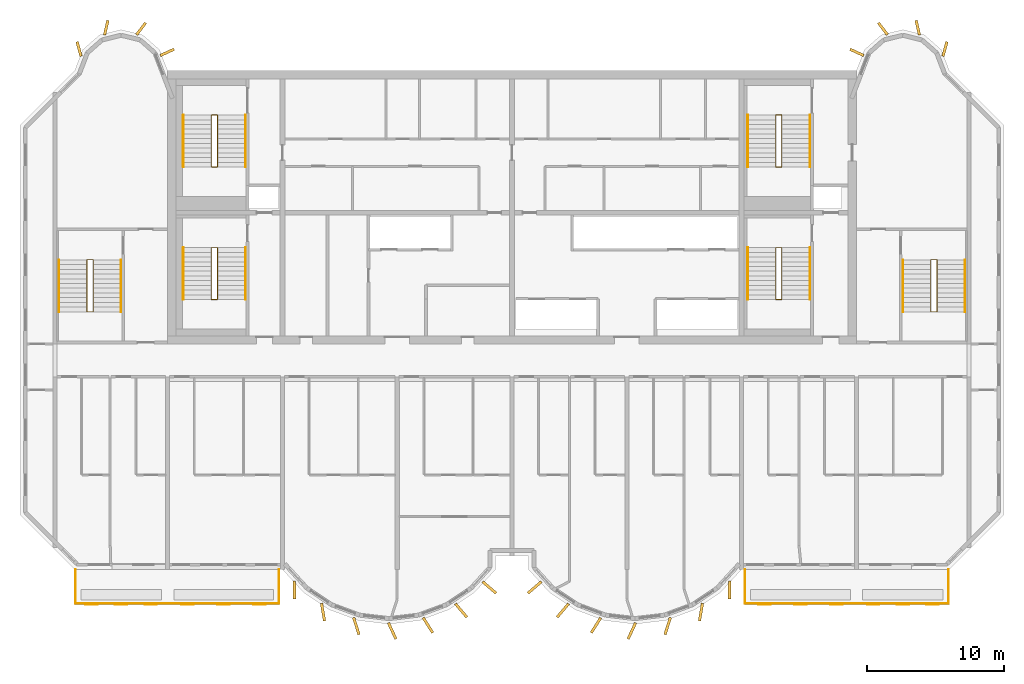
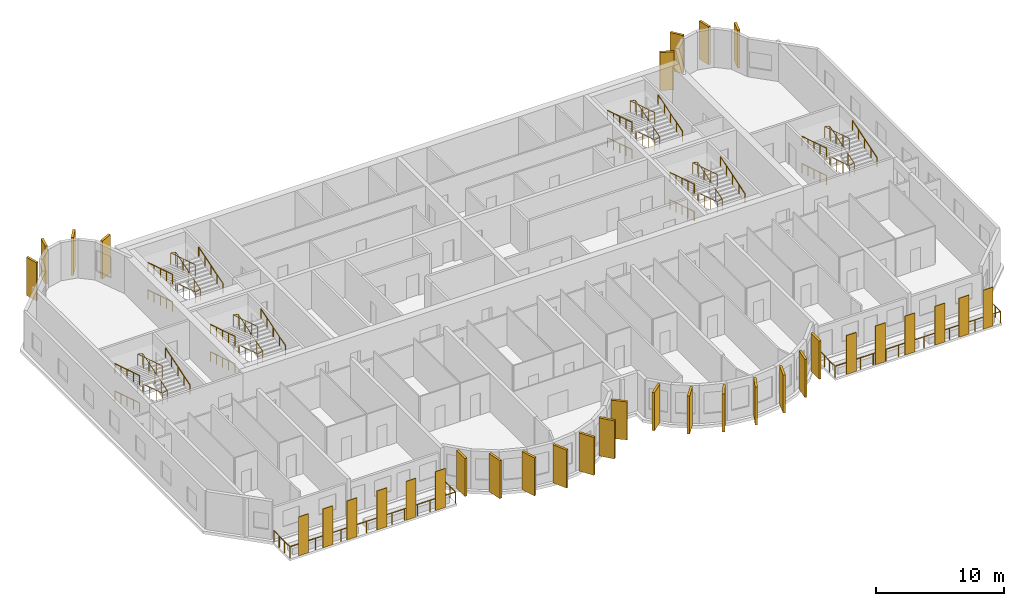
# One storey, part 10 of 11: 34 coverings, 26 railings.
"""IFC4 building model written with IfcOpenShell, lengths in metres."""

from ifc_helpers import new_model, si_unit, direction, frame, origin, origin_2d, place, context, subcontext, project, spatial, rectangle, circle, extrude, source, transform, mapped, material, layer, layer_set, material_profile, profile_set, type_object, element, save


model = new_model("IFC4")

# Units and contexts
model_context = context("Model", 3, precision=1e-05, world=origin(), true_north=direction((0.0, 1.0)))
body_context = subcontext(model_context, "Body", "Model", "MODEL_VIEW")
ifc_project = project(units=[si_unit("LENGTHUNIT", "METRE"), si_unit("AREAUNIT", "SQUARE_METRE"), si_unit("VOLUMEUNIT", "CUBIC_METRE"), si_unit("PLANEANGLEUNIT", "RADIAN"), si_unit("MASSUNIT", "GRAM", prefix="KILO")], contexts=[model_context])

# Site, building, storey
site_placement = place(None, origin())
site = spatial("IfcSite", under=ifc_project, at=site_placement, CompositionType="ELEMENT")
building_placement = place(site_placement, origin())
building = spatial("IfcBuilding", under=site, at=building_placement, Name="Vanashikhar Sky Hotel", CompositionType="ELEMENT")
storey_placement = place(building_placement, frame((0.0, 0.0, 217.89990234375)))
storey = spatial("IfcBuildingStorey", under=building, at=storey_placement, Name="L52", CompositionType="ELEMENT", Elevation=217.89990234375)

# Railings
ifc_material_1 = material(Name="Stainless steel 316", Category="steel")
railing_type_1 = type_object("IfcRailingType", Name="Balcony guard 1100", PredefinedType="GUARDRAIL", material=ifc_material_1)
shared_shape_1 = source(origin(), body_context, "Body", "SweptSolid", [
    extrude(circle(Radius=0.02392578125, at=origin_2d()), frame((0.0, 0.0, 1.076171875), z_axis=(0.0, -1.0, 0.0), x_axis=(1.0, 0.0, 0.0)), (0.0, 0.0, 1.0), 2.5),
    extrude(circle(Radius=0.02392578125, at=origin_2d()), frame((0.0, -2.5, 1.076171875), z_axis=(1.0, 0.0, 0.0), x_axis=(0.0, 1.0, 0.0)), (0.0, 0.0, 1.0), 14.880126953125),
    extrude(circle(Radius=0.02392578125, at=origin_2d()), frame((14.880126953125, -2.5, 1.076171875), z_axis=(0.0, 1.0, 0.0), x_axis=(-1.0, 0.0, 0.0)), (0.0, 0.0, 1.0), 2.5),
    extrude(circle(Radius=0.02099609375, at=origin_2d()), origin(), (0.0, 0.0, 1.0), 1.052001953125),
    extrude(circle(Radius=0.02099609375, at=origin_2d()), frame((0.0, -0.833251953125, 0.0)), (0.0, 0.0, 1.0), 1.052001953125),
    extrude(circle(Radius=0.02099609375, at=origin_2d()), frame((0.0, -1.666748046875, 0.0)), (0.0, 0.0, 1.0), 1.052001953125),
    extrude(circle(Radius=0.02099609375, at=origin_2d()), frame((0.0, -2.5, 0.0)), (0.0, 0.0, 1.0), 1.052001953125),
    extrude(circle(Radius=0.02099609375, at=origin_2d()), frame((1.14453125, -2.5, 0.0)), (0.0, 0.0, 1.0), 1.052001953125),
    extrude(circle(Radius=0.02099609375, at=origin_2d()), frame((2.289306640625, -2.5, 0.0)), (0.0, 0.0, 1.0), 1.052001953125),
    extrude(circle(Radius=0.02099609375, at=origin_2d()), frame((3.433837890625, -2.5, 0.0)), (0.0, 0.0, 1.0), 1.052001953125),
    extrude(circle(Radius=0.02099609375, at=origin_2d()), frame((4.57861328125, -2.5, 0.0)), (0.0, 0.0, 1.0), 1.052001953125),
    extrude(circle(Radius=0.02099609375, at=origin_2d()), frame((5.72314453125, -2.5, 0.0)), (0.0, 0.0, 1.0), 1.052001953125),
    extrude(circle(Radius=0.02099609375, at=origin_2d()), frame((6.86767578125, -2.5, 0.0)), (0.0, 0.0, 1.0), 1.052001953125),
    extrude(circle(Radius=0.02099609375, at=origin_2d()), frame((8.012451171875, -2.5, 0.0)), (0.0, 0.0, 1.0), 1.052001953125),
    extrude(circle(Radius=0.02099609375, at=origin_2d()), frame((9.156982421875, -2.5, 0.0)), (0.0, 0.0, 1.0), 1.052001953125),
    extrude(circle(Radius=0.02099609375, at=origin_2d()), frame((10.301513671875, -2.5, 0.0)), (0.0, 0.0, 1.0), 1.052001953125),
    extrude(circle(Radius=0.02099609375, at=origin_2d()), frame((11.4462890625, -2.5, 0.0)), (0.0, 0.0, 1.0), 1.052001953125),
    extrude(circle(Radius=0.02099609375, at=origin_2d()), frame((12.5908203125, -2.5, 0.0)), (0.0, 0.0, 1.0), 1.052001953125),
    extrude(circle(Radius=0.02099609375, at=origin_2d()), frame((13.735595703125, -2.5, 0.0)), (0.0, 0.0, 1.0), 1.052001953125),
    extrude(circle(Radius=0.02099609375, at=origin_2d()), frame((14.880126953125, -2.5, 0.0)), (0.0, 0.0, 1.0), 1.052001953125),
    extrude(circle(Radius=0.02099609375, at=origin_2d()), frame((14.880126953125, -1.666748046875, 0.0)), (0.0, 0.0, 1.0), 1.052001953125),
    extrude(circle(Radius=0.02099609375, at=origin_2d()), frame((14.880126953125, -0.833251953125, 0.0)), (0.0, 0.0, 1.0), 1.052001953125),
    extrude(circle(Radius=0.02099609375, at=origin_2d()), frame((14.880126953125, 0.0, 0.0)), (0.0, 0.0, 1.0), 1.052001953125),
])
for number, where, name in (
    (1, (18.4599609375, 5.5, -0.0498046875), "Balcony guard"),
    (2, (67.4599609375, 5.5, -0.0498046875), "Balcony guard"),
):
    element("IfcRailing", number, at=place(storey_placement, frame(where)), inside=storey, type_object=railing_type_1, Name=name, PredefinedType="GUARDRAIL", context=body_context, shape_type="MappedRepresentation", body=[
        mapped(shared_shape_1, transform((0.0, 0.0, 0.0), scale=1.0)),
    ])

# Coverings
ifc_material_2 = material(Name="Terracotta", Category="masonry")
ifc_layer = layer(ifc_material_2, 0.06005859375)
ifc_layer_set = layer_set([ifc_layer], Name="Terracotta baguette screen")
covering_type_1 = type_object("IfcCoveringType", Name="Terracotta baguette screen", PredefinedType="CLADDING", material=ifc_layer_set)
shared_shape_2 = source(origin(), body_context, "Body", "SweptSolid", [
    extrude(rectangle(XDim=0.89990234375, YDim=0.06005859375, at=origin_2d()), origin(), (0.0, 0.0, 1.0), 3.699951171875),
])
for number, where, z_axis, x_axis, name in (
    (3, (19.63330078125, 2.929931640625, -0.0498046875), (0.0, 0.0, 1.0), (1.0, 0.0, 0.0), "Terracotta screen"),
    (4, (21.800048828125, 2.929931640625, -0.0498046875), (0.0, 0.0, 1.0), (1.0, 0.0, 0.0), "Terracotta screen"),
    (5, (23.966796875, 2.929931640625, -0.0498046875), (0.0, 0.0, 1.0), (1.0, 0.0, 0.0), "Terracotta screen"),
    (6, (26.666748046875, 2.929931640625, -0.0498046875), (0.0, 0.0, 1.0), (1.0, 0.0, 0.0), "Terracotta screen"),
    (7, (29.300048828125, 2.929931640625, -0.0498046875), (0.0, 0.0, 1.0), (1.0, 0.0, 0.0), "Terracotta screen"),
    (8, (31.933349609375, 2.929931640625, -0.0498046875), (0.0, 0.0, 1.0), (1.0, 0.0, 0.0), "Terracotta screen"),
    (9, (68.86669921875, 2.929931640625, -0.0498046875), (0.0, 0.0, 1.0), (1.0, 0.0, 0.0), "Terracotta screen"),
    (10, (71.5, 2.929931640625, -0.0498046875), (0.0, 0.0, 1.0), (1.0, 0.0, 0.0), "Terracotta screen"),
    (11, (74.13330078125, 2.929931640625, -0.0498046875), (0.0, 0.0, 1.0), (1.0, 0.0, 0.0), "Terracotta screen"),
    (12, (76.833251953125, 2.929931640625, -0.0498046875), (0.0, 0.0, 1.0), (1.0, 0.0, 0.0), "Terracotta screen"),
    (13, (79.0, 2.929931640625, -0.0498046875), (0.0, 0.0, 1.0), (1.0, 0.0, 0.0), "Terracotta screen"),
    (14, (81.166748046875, 2.929931640625, -0.0498046875), (0.0, 0.0, 1.0), (1.0, 0.0, 0.0), "Terracotta screen"),
):
    element("IfcCovering", number, at=place(storey_placement, frame(where, z_axis=z_axis, x_axis=x_axis)), inside=storey, type_object=covering_type_1, Name=name, PredefinedType="CLADDING", context=body_context, shape_type="MappedRepresentation", body=[
        mapped(shared_shape_2, transform((0.0, 0.0, 0.0), scale=1.0)),
    ])
ifc_material_3 = material(Name="Concrete M60 dark", Category="concrete")
ifc_material_profile_1 = material_profile(ifc_material_3, rectangle(XDim=1.300048828125, YDim=0.199951171875, at=origin_2d()))
ifc_profile_set_1 = profile_set([ifc_material_profile_1], Name="Fin 1300 x 200")
covering_type_2 = type_object("IfcCoveringType", Name="Fin 1300 x 200", PredefinedType="CLADDING", material=ifc_profile_set_1)
shared_shape_3 = source(origin(), body_context, "Body", "SweptSolid", [
    extrude(rectangle(XDim=1.300048828125, YDim=0.199951171875, at=origin_2d()), origin(), (0.0, 0.0, 1.0), 3.6201171875),
])
for number, where, z_axis, x_axis, name in (
    (15, (34.482421875, 3.992919921875, 0.0), (0.0, 0.0, 1.0), (0.011588726826, -0.999932848451, 0.0), "Fin F1-1"),
    (16, (36.572509765625, 2.3779296875, 0.0), (0.0, 0.0, 1.0), (0.16989991575, -0.985461322746, 0.0), "Fin F1-2"),
    (17, (39.00830078125, 1.35693359375, 0.0), (0.0, 0.0, 1.0), (0.303966551867, -0.952682704444, 0.0), "Fin F1-3"),
    (18, (41.63232421875, 1.00146484375, 0.0), (0.0, 0.0, 1.0), (0.422618261741, -0.906307787037, 0.0), "Fin F1-4"),
    (19, (44.251953125, 1.416015625, 0.0), (0.0, 0.0, 1.0), (0.534411358496, -0.845224526331, 0.0), "Fin F1-5"),
    (20, (46.676025390625, 2.5, 0.0), (0.0, 0.0, 1.0), (0.645697609467, -0.763593214433, 0.0), "Fin F1-6"),
    (21, (48.7412109375, 4.1845703125, 0.0), (0.0, 0.0, 1.0), (0.758543912032, -0.65162192529, 0.0), "Fin F1-7"),
    (22, (52.058837890625, 4.1845703125, 0.0), (0.0, 0.0, 1.0), (-0.758543912032, -0.65162192529, 0.0), "Fin F2-1"),
    (23, (54.123779296875, 2.5, 0.0), (0.0, 0.0, 1.0), (-0.645697609467, -0.763593214433, 0.0), "Fin F2-2"),
    (24, (56.547119140625, 1.416015625, 0.0), (0.0, 0.0, 1.0), (-0.534411358496, -0.845224526331, 0.0), "Fin F2-3"),
    (25, (59.16748046875, 1.00146484375, 0.0), (0.0, 0.0, 1.0), (-0.422618261741, -0.906307787037, 0.0), "Fin F2-4"),
    (26, (61.790771484375, 1.35693359375, 0.0), (0.0, 0.0, 1.0), (-0.303966551867, -0.952682704444, 0.0), "Fin F2-5"),
    (27, (64.2275390625, 2.3779296875, 0.0), (0.0, 0.0, 1.0), (-0.16989991575, -0.985461322746, 0.0), "Fin F2-6"),
    (28, (66.317626953125, 3.992919921875, 0.0), (0.0, 0.0, 1.0), (-0.011588726826, -0.999932848451, 0.0), "Fin F2-7"),
):
    element("IfcCovering", number, at=place(storey_placement, frame(where, z_axis=z_axis, x_axis=x_axis)), inside=storey, type_object=covering_type_2, Name=name, PredefinedType="CLADDING", context=body_context, shape_type="MappedRepresentation", body=[
        mapped(shared_shape_3, transform((0.0, 0.0, 0.0), scale=1.0)),
    ])
ifc_material_profile_2 = material_profile(ifc_material_3, rectangle(XDim=1.10009765625, YDim=0.199951171875, at=origin_2d()))
ifc_profile_set_2 = profile_set([ifc_material_profile_2], Name="Rear lobe fin 1100 x 200")
covering_type_3 = type_object("IfcCoveringType", Name="Rear lobe fin 1100 x 200", PredefinedType="CLADDING", material=ifc_profile_set_2)
shared_shape_4 = source(origin(), body_context, "Body", "SweptSolid", [
    extrude(rectangle(XDim=1.10009765625, YDim=0.199951171875, at=origin_2d()), origin(), (0.0, 0.0, 1.0), 3.6201171875),
])
for number, where, z_axis, x_axis, name in (
    (29, (18.720703125, 43.580078125, 0.0), (0.0, 0.0, 1.0), (-0.262711264409, 0.964874495234, 0.0), "Fin R1-1"),
    (30, (20.710205078125, 45.1455078125, 0.0), (0.0, 0.0, 1.0), (0.224644935864, 0.974440687159, 0.0), "Fin R1-2"),
    (31, (23.261962890625, 45.06640625, 0.0), (0.0, 0.0, 1.0), (0.602065892195, 0.798446404874, 0.0), "Fin R1-3"),
    (32, (25.169677734375, 43.33447265625, 0.0), (0.0, 0.0, 1.0), (0.908004291068, 0.418960866193, 0.0), "Fin R1-4"),
    (33, (75.63037109375, 43.33447265625, 0.0), (0.0, 0.0, 1.0), (-0.908004291068, 0.418960866193, 0.0), "Fin R2-1"),
    (34, (77.5380859375, 45.06640625, 0.0), (0.0, 0.0, 1.0), (-0.602065892195, 0.798446404874, 0.0), "Fin R2-2"),
    (35, (80.08984375, 45.1455078125, 0.0), (0.0, 0.0, 1.0), (-0.224644935864, 0.974440687159, 0.0), "Fin R2-3"),
    (36, (82.0791015625, 43.580078125, 0.0), (0.0, 0.0, 1.0), (0.262711264409, 0.964874495234, 0.0), "Fin R2-4"),
):
    element("IfcCovering", number, at=place(storey_placement, frame(where, z_axis=z_axis, x_axis=x_axis)), inside=storey, type_object=covering_type_3, Name=name, PredefinedType="CLADDING", context=body_context, shape_type="MappedRepresentation", body=[
        mapped(shared_shape_4, transform((0.0, 0.0, 0.0), scale=1.0)),
    ])

# Railings
ifc_material_4 = material(Name="Steel S355", Category="steel")
railing_type_2 = type_object("IfcRailingType", Name="Stair handrail 900", PredefinedType="HANDRAIL", material=ifc_material_4)
shared_shape_5 = source(origin(), body_context, "Body", "SweptSolid", [
    extrude(circle(Radius=0.02392578125, at=origin_2d()), frame((0.0, 0.0, 0.8759765625), z_axis=(0.0, 0.95418390146, 0.299220791714), x_axis=(-1.0, 0.0, 0.0)), (0.0, 0.0, 1.0), 3.982421875),
    extrude(circle(Radius=0.02099609375, at=origin_2d()), origin(), (0.0, 0.0, 1.0), 0.851806640625),
    extrude(circle(Radius=0.02099609375, at=origin_2d()), frame((0.0, 0.949951171875, 0.2978515625)), (0.0, 0.0, 1.0), 0.851806640625),
    extrude(circle(Radius=0.02099609375, at=origin_2d()), frame((0.0, 1.89990234375, 0.595703125)), (0.0, 0.0, 1.0), 0.851806640625),
    extrude(circle(Radius=0.02099609375, at=origin_2d()), frame((0.0, 2.85009765625, 0.893798828125)), (0.0, 0.0, 1.0), 0.851806640625),
    extrude(circle(Radius=0.02099609375, at=origin_2d()), frame((0.0, 3.800048828125, 1.191650390625)), (0.0, 0.0, 1.0), 0.851806640625),
])
for number, where, name in (
    (37, (30.89990234375, 25.25, 1.408447265625), "Exit stair 1 handrail"),
    (38, (72.199951171875, 25.25, 1.408447265625), "Exit stair 2 handrail"),
    (39, (30.89990234375, 34.949951171875, 1.408447265625), "Exit stair 5 handrail"),
    (40, (72.199951171875, 34.949951171875, 1.408447265625), "Exit stair 6 handrail"),
):
    element("IfcRailing", number, at=place(storey_placement, frame(where)), inside=storey, type_object=railing_type_2, Name=name, PredefinedType="HANDRAIL", context=body_context, shape_type="MappedRepresentation", body=[
        mapped(shared_shape_5, transform((0.0, 0.0, 0.0), scale=1.0)),
    ])
shared_shape_6 = source(origin(), body_context, "Body", "SweptSolid", [
    extrude(circle(Radius=0.02392578125, at=origin_2d()), frame((0.0, 0.0, 0.8759765625), z_axis=(0.0, -0.95418390146, 0.299220791714), x_axis=(1.0, 0.0, 0.0)), (0.0, 0.0, 1.0), 3.982421875),
    extrude(circle(Radius=0.02099609375, at=origin_2d()), origin(), (0.0, 0.0, 1.0), 0.851806640625),
    extrude(circle(Radius=0.02099609375, at=origin_2d()), frame((0.0, -0.949951171875, 0.2978515625)), (0.0, 0.0, 1.0), 0.851806640625),
    extrude(circle(Radius=0.02099609375, at=origin_2d()), frame((0.0, -1.89990234375, 0.595703125)), (0.0, 0.0, 1.0), 0.851806640625),
    extrude(circle(Radius=0.02099609375, at=origin_2d()), frame((0.0, -2.85009765625, 0.893798828125)), (0.0, 0.0, 1.0), 0.851806640625),
    extrude(circle(Radius=0.02099609375, at=origin_2d()), frame((0.0, -3.800048828125, 1.191650390625)), (0.0, 0.0, 1.0), 0.851806640625),
])
for number, where, name in (
    (41, (26.35009765625, 29.050048828125, 0.1083984375), "Exit stair 1 handrail"),
    (42, (26.35009765625, 29.050048828125, 2.70849609375), "Exit stair 1 handrail"),
    (43, (67.64990234375, 29.050048828125, 0.1083984375), "Exit stair 2 handrail"),
    (44, (67.64990234375, 29.050048828125, 2.70849609375), "Exit stair 2 handrail"),
    (45, (26.35009765625, 38.75, 0.1083984375), "Exit stair 5 handrail"),
    (46, (26.35009765625, 38.75, 2.70849609375), "Exit stair 5 handrail"),
    (47, (67.64990234375, 38.75, 0.1083984375), "Exit stair 6 handrail"),
    (48, (67.64990234375, 38.75, 2.70849609375), "Exit stair 6 handrail"),
):
    element("IfcRailing", number, at=place(storey_placement, frame(where)), inside=storey, type_object=railing_type_2, Name=name, PredefinedType="HANDRAIL", context=body_context, shape_type="MappedRepresentation", body=[
        mapped(shared_shape_6, transform((0.0, 0.0, 0.0), scale=1.0)),
    ])
railing_type_3 = type_object("IfcRailingType", Name="Stair guard 1100", PredefinedType="GUARDRAIL", material=ifc_material_4)
shared_shape_7 = source(origin(), body_context, "Body", "SweptSolid", [
    extrude(circle(Radius=0.02392578125, at=origin_2d()), frame((0.0, 0.0, 1.076171875), z_axis=(-0.972214749574, 0.0, 0.234090753151), x_axis=(0.0, -1.0, 0.0)), (0.0, 0.0, 1.0), 0.463134765625),
    extrude(circle(Radius=0.02392578125, at=origin_2d()), frame((-0.4501953125, 0.0, 1.1845703125), z_axis=(0.0, -0.95418390146, 0.299220791714), x_axis=(1.0, 0.0, 0.0)), (0.0, 0.0, 1.0), 3.982421875),
    extrude(circle(Radius=0.02392578125, at=origin_2d()), frame((-0.4501953125, -3.800048828125, 2.3759765625), z_axis=(0.972214749574, 0.0, 0.234090753151), x_axis=(0.0, 1.0, 0.0)), (0.0, 0.0, 1.0), 0.463134765625),
    extrude(circle(Radius=0.02392578125, at=origin_2d()), frame((0.0, -3.800048828125, 2.484375), z_axis=(0.0, 0.95418390146, 0.299220791714), x_axis=(-1.0, 0.0, 0.0)), (0.0, 0.0, 1.0), 3.982421875),
    extrude(circle(Radius=0.02392578125, at=origin_2d()), frame((0.0, 0.0, 3.67626953125), z_axis=(-0.972214749574, 0.0, 0.234090753151), x_axis=(0.0, -1.0, 0.0)), (0.0, 0.0, 1.0), 0.463134765625),
    extrude(circle(Radius=0.02392578125, at=origin_2d()), frame((-0.4501953125, 0.0, 3.78466796875), z_axis=(0.0, -0.95418390146, 0.299220791714), x_axis=(1.0, 0.0, 0.0)), (0.0, 0.0, 1.0), 3.982421875),
    extrude(circle(Radius=0.02099609375, at=origin_2d()), origin(), (0.0, 0.0, 1.0), 1.052001953125),
    extrude(circle(Radius=0.02099609375, at=origin_2d()), frame((-0.4501953125, 0.0, 0.1083984375)), (0.0, 0.0, 1.0), 1.052001953125),
    extrude(circle(Radius=0.02099609375, at=origin_2d()), frame((-0.4501953125, -0.949951171875, 0.40625)), (0.0, 0.0, 1.0), 1.052001953125),
    extrude(circle(Radius=0.02099609375, at=origin_2d()), frame((-0.4501953125, -1.89990234375, 0.7041015625)), (0.0, 0.0, 1.0), 1.052001953125),
    extrude(circle(Radius=0.02099609375, at=origin_2d()), frame((-0.4501953125, -2.85009765625, 1.002197265625)), (0.0, 0.0, 1.0), 1.052001953125),
    extrude(circle(Radius=0.02099609375, at=origin_2d()), frame((-0.4501953125, -3.800048828125, 1.300048828125)), (0.0, 0.0, 1.0), 1.052001953125),
    extrude(circle(Radius=0.02099609375, at=origin_2d()), frame((0.0, -3.800048828125, 1.408447265625)), (0.0, 0.0, 1.0), 1.052001953125),
    extrude(circle(Radius=0.02099609375, at=origin_2d()), frame((0.0, -2.85009765625, 1.706298828125)), (0.0, 0.0, 1.0), 1.052001953125),
    extrude(circle(Radius=0.02099609375, at=origin_2d()), frame((0.0, -1.89990234375, 2.00439453125)), (0.0, 0.0, 1.0), 1.052001953125),
    extrude(circle(Radius=0.02099609375, at=origin_2d()), frame((0.0, -0.949951171875, 2.30224609375)), (0.0, 0.0, 1.0), 1.052001953125),
    extrude(circle(Radius=0.02099609375, at=origin_2d()), frame((0.0, 0.0, 2.60009765625)), (0.0, 0.0, 1.0), 1.052001953125),
    extrude(circle(Radius=0.02099609375, at=origin_2d()), frame((-0.4501953125, 0.0, 2.70849609375)), (0.0, 0.0, 1.0), 1.052001953125),
    extrude(circle(Radius=0.02099609375, at=origin_2d()), frame((-0.4501953125, -0.949951171875, 3.00634765625)), (0.0, 0.0, 1.0), 1.052001953125),
    extrude(circle(Radius=0.02099609375, at=origin_2d()), frame((-0.4501953125, -1.89990234375, 3.30419921875)), (0.0, 0.0, 1.0), 1.052001953125),
    extrude(circle(Radius=0.02099609375, at=origin_2d()), frame((-0.4501953125, -2.85009765625, 3.602294921875)), (0.0, 0.0, 1.0), 1.052001953125),
    extrude(circle(Radius=0.02099609375, at=origin_2d()), frame((-0.4501953125, -3.800048828125, 3.900146484375)), (0.0, 0.0, 1.0), 1.052001953125),
])
for number, where, name in (
    (49, (28.85009765625, 29.050048828125, 0.0), "Exit stair 1 guard"),
    (50, (28.85009765625, 38.75, 0.0), "Exit stair 5 guard"),
):
    element("IfcRailing", number, at=place(storey_placement, frame(where)), inside=storey, type_object=railing_type_3, Name=name, PredefinedType="GUARDRAIL", context=body_context, shape_type="MappedRepresentation", body=[
        mapped(shared_shape_7, transform((0.0, 0.0, 0.0), scale=1.0)),
    ])
shared_shape_8 = source(origin(), body_context, "Body", "SweptSolid", [
    extrude(circle(Radius=0.02392578125, at=origin_2d()), frame((0.0, 0.0, 1.076171875), z_axis=(-0.972185835864, 0.0, 0.234210803648), x_axis=(0.0, -1.0, 0.0)), (0.0, 0.0, 1.0), 0.462890625),
    extrude(circle(Radius=0.02392578125, at=origin_2d()), frame((-0.449951171875, 0.0, 1.1845703125), z_axis=(0.0, -0.95418390146, 0.299220791714), x_axis=(1.0, 0.0, 0.0)), (0.0, 0.0, 1.0), 3.982421875),
    extrude(circle(Radius=0.02392578125, at=origin_2d()), frame((-0.449951171875, -3.800048828125, 2.3759765625), z_axis=(0.972185835864, 0.0, 0.234210803648), x_axis=(0.0, 1.0, 0.0)), (0.0, 0.0, 1.0), 0.462890625),
    extrude(circle(Radius=0.02392578125, at=origin_2d()), frame((0.0, -3.800048828125, 2.484375), z_axis=(0.0, 0.95418390146, 0.299220791714), x_axis=(-1.0, 0.0, 0.0)), (0.0, 0.0, 1.0), 3.982421875),
    extrude(circle(Radius=0.02392578125, at=origin_2d()), frame((0.0, 0.0, 3.67626953125), z_axis=(-0.972185835864, 0.0, 0.234210803648), x_axis=(0.0, -1.0, 0.0)), (0.0, 0.0, 1.0), 0.462890625),
    extrude(circle(Radius=0.02392578125, at=origin_2d()), frame((-0.449951171875, 0.0, 3.78466796875), z_axis=(0.0, -0.95418390146, 0.299220791714), x_axis=(1.0, 0.0, 0.0)), (0.0, 0.0, 1.0), 3.982421875),
    extrude(circle(Radius=0.02099609375, at=origin_2d()), origin(), (0.0, 0.0, 1.0), 1.052001953125),
    extrude(circle(Radius=0.02099609375, at=origin_2d()), frame((-0.449951171875, 0.0, 0.1083984375)), (0.0, 0.0, 1.0), 1.052001953125),
    extrude(circle(Radius=0.02099609375, at=origin_2d()), frame((-0.449951171875, -0.949951171875, 0.40625)), (0.0, 0.0, 1.0), 1.052001953125),
    extrude(circle(Radius=0.02099609375, at=origin_2d()), frame((-0.449951171875, -1.89990234375, 0.7041015625)), (0.0, 0.0, 1.0), 1.052001953125),
    extrude(circle(Radius=0.02099609375, at=origin_2d()), frame((-0.449951171875, -2.85009765625, 1.002197265625)), (0.0, 0.0, 1.0), 1.052001953125),
    extrude(circle(Radius=0.02099609375, at=origin_2d()), frame((-0.449951171875, -3.800048828125, 1.300048828125)), (0.0, 0.0, 1.0), 1.052001953125),
    extrude(circle(Radius=0.02099609375, at=origin_2d()), frame((0.0, -3.800048828125, 1.408447265625)), (0.0, 0.0, 1.0), 1.052001953125),
    extrude(circle(Radius=0.02099609375, at=origin_2d()), frame((0.0, -2.85009765625, 1.706298828125)), (0.0, 0.0, 1.0), 1.052001953125),
    extrude(circle(Radius=0.02099609375, at=origin_2d()), frame((0.0, -1.89990234375, 2.00439453125)), (0.0, 0.0, 1.0), 1.052001953125),
    extrude(circle(Radius=0.02099609375, at=origin_2d()), frame((0.0, -0.949951171875, 2.30224609375)), (0.0, 0.0, 1.0), 1.052001953125),
    extrude(circle(Radius=0.02099609375, at=origin_2d()), frame((0.0, 0.0, 2.60009765625)), (0.0, 0.0, 1.0), 1.052001953125),
    extrude(circle(Radius=0.02099609375, at=origin_2d()), frame((-0.449951171875, 0.0, 2.70849609375)), (0.0, 0.0, 1.0), 1.052001953125),
    extrude(circle(Radius=0.02099609375, at=origin_2d()), frame((-0.449951171875, -0.949951171875, 3.00634765625)), (0.0, 0.0, 1.0), 1.052001953125),
    extrude(circle(Radius=0.02099609375, at=origin_2d()), frame((-0.449951171875, -1.89990234375, 3.30419921875)), (0.0, 0.0, 1.0), 1.052001953125),
    extrude(circle(Radius=0.02099609375, at=origin_2d()), frame((-0.449951171875, -2.85009765625, 3.602294921875)), (0.0, 0.0, 1.0), 1.052001953125),
    extrude(circle(Radius=0.02099609375, at=origin_2d()), frame((-0.449951171875, -3.800048828125, 3.900146484375)), (0.0, 0.0, 1.0), 1.052001953125),
])
for number, where, name in (
    (51, (70.14990234375, 29.050048828125, 0.0), "Exit stair 2 guard"),
    (52, (70.14990234375, 38.75, 0.0), "Exit stair 6 guard"),
):
    element("IfcRailing", number, at=place(storey_placement, frame(where)), inside=storey, type_object=railing_type_3, Name=name, PredefinedType="GUARDRAIL", context=body_context, shape_type="MappedRepresentation", body=[
        mapped(shared_shape_8, transform((0.0, 0.0, 0.0), scale=1.0)),
    ])
shared_shape_9 = source(origin(), body_context, "Body", "SweptSolid", [
    extrude(circle(Radius=0.02392578125, at=origin_2d()), frame((0.0, 0.0, 0.8759765625), z_axis=(0.0, 0.954178412317, 0.299238295459), x_axis=(-1.0, 0.0, 0.0)), (0.0, 0.0, 1.0), 3.982177734375),
    extrude(circle(Radius=0.02099609375, at=origin_2d()), origin(), (0.0, 0.0, 1.0), 0.851806640625),
    extrude(circle(Radius=0.02099609375, at=origin_2d()), frame((0.0, 0.949951171875, 0.2978515625)), (0.0, 0.0, 1.0), 0.851806640625),
    extrude(circle(Radius=0.02099609375, at=origin_2d()), frame((0.0, 1.89990234375, 0.595703125)), (0.0, 0.0, 1.0), 0.851806640625),
    extrude(circle(Radius=0.02099609375, at=origin_2d()), frame((0.0, 2.849853515625, 0.893798828125)), (0.0, 0.0, 1.0), 0.851806640625),
    extrude(circle(Radius=0.02099609375, at=origin_2d()), frame((0.0, 3.7998046875, 1.191650390625)), (0.0, 0.0, 1.0), 0.851806640625),
])
for number, where, name in (
    (53, (21.800048828125, 24.35009765625, 1.408447265625), "Exit stair 3 handrail"),
    (54, (83.550048828125, 24.35009765625, 1.408447265625), "Exit stair 4 handrail"),
):
    element("IfcRailing", number, at=place(storey_placement, frame(where)), inside=storey, type_object=railing_type_2, Name=name, PredefinedType="HANDRAIL", context=body_context, shape_type="MappedRepresentation", body=[
        mapped(shared_shape_9, transform((0.0, 0.0, 0.0), scale=1.0)),
    ])
shared_shape_10 = source(origin(), body_context, "Body", "SweptSolid", [
    extrude(circle(Radius=0.02392578125, at=origin_2d()), frame((0.0, 0.0, 0.8759765625), z_axis=(0.0, -0.954178412317, 0.299238295459), x_axis=(1.0, 0.0, 0.0)), (0.0, 0.0, 1.0), 3.982177734375),
    extrude(circle(Radius=0.02099609375, at=origin_2d()), origin(), (0.0, 0.0, 1.0), 0.851806640625),
    extrude(circle(Radius=0.02099609375, at=origin_2d()), frame((0.0, -0.949951171875, 0.2978515625)), (0.0, 0.0, 1.0), 0.851806640625),
    extrude(circle(Radius=0.02099609375, at=origin_2d()), frame((0.0, -1.89990234375, 0.595703125)), (0.0, 0.0, 1.0), 0.851806640625),
    extrude(circle(Radius=0.02099609375, at=origin_2d()), frame((0.0, -2.849853515625, 0.893798828125)), (0.0, 0.0, 1.0), 0.851806640625),
    extrude(circle(Radius=0.02099609375, at=origin_2d()), frame((0.0, -3.7998046875, 1.191650390625)), (0.0, 0.0, 1.0), 0.851806640625),
])
for number, where, name in (
    (55, (17.25, 28.14990234375, 0.1083984375), "Exit stair 3 handrail"),
    (56, (17.25, 28.14990234375, 2.70849609375), "Exit stair 3 handrail"),
    (57, (79.0, 28.14990234375, 0.1083984375), "Exit stair 4 handrail"),
    (58, (79.0, 28.14990234375, 2.70849609375), "Exit stair 4 handrail"),
):
    element("IfcRailing", number, at=place(storey_placement, frame(where)), inside=storey, type_object=railing_type_2, Name=name, PredefinedType="HANDRAIL", context=body_context, shape_type="MappedRepresentation", body=[
        mapped(shared_shape_10, transform((0.0, 0.0, 0.0), scale=1.0)),
    ])
shared_shape_11 = source(origin(), body_context, "Body", "SweptSolid", [
    extrude(circle(Radius=0.02392578125, at=origin_2d()), frame((0.0, 0.0, 1.076171875), z_axis=(-0.972185835864, 0.0, 0.234210803648), x_axis=(0.0, -1.0, 0.0)), (0.0, 0.0, 1.0), 0.462890625),
    extrude(circle(Radius=0.02392578125, at=origin_2d()), frame((-0.449951171875, 0.0, 1.1845703125), z_axis=(0.0, -0.954178412317, 0.299238295459), x_axis=(1.0, 0.0, 0.0)), (0.0, 0.0, 1.0), 3.982177734375),
    extrude(circle(Radius=0.02392578125, at=origin_2d()), frame((-0.449951171875, -3.7998046875, 2.3759765625), z_axis=(0.972185835864, 0.0, 0.234210803648), x_axis=(0.0, 1.0, 0.0)), (0.0, 0.0, 1.0), 0.462890625),
    extrude(circle(Radius=0.02392578125, at=origin_2d()), frame((0.0, -3.7998046875, 2.484375), z_axis=(0.0, 0.954178412317, 0.299238295459), x_axis=(-1.0, 0.0, 0.0)), (0.0, 0.0, 1.0), 3.982177734375),
    extrude(circle(Radius=0.02392578125, at=origin_2d()), frame((0.0, 0.0, 3.67626953125), z_axis=(-0.972185835864, 0.0, 0.234210803648), x_axis=(0.0, -1.0, 0.0)), (0.0, 0.0, 1.0), 0.462890625),
    extrude(circle(Radius=0.02392578125, at=origin_2d()), frame((-0.449951171875, 0.0, 3.78466796875), z_axis=(0.0, -0.954178412317, 0.299238295459), x_axis=(1.0, 0.0, 0.0)), (0.0, 0.0, 1.0), 3.982177734375),
    extrude(circle(Radius=0.02099609375, at=origin_2d()), origin(), (0.0, 0.0, 1.0), 1.052001953125),
    extrude(circle(Radius=0.02099609375, at=origin_2d()), frame((-0.449951171875, 0.0, 0.1083984375)), (0.0, 0.0, 1.0), 1.052001953125),
    extrude(circle(Radius=0.02099609375, at=origin_2d()), frame((-0.449951171875, -0.949951171875, 0.40625)), (0.0, 0.0, 1.0), 1.052001953125),
    extrude(circle(Radius=0.02099609375, at=origin_2d()), frame((-0.449951171875, -1.89990234375, 0.7041015625)), (0.0, 0.0, 1.0), 1.052001953125),
    extrude(circle(Radius=0.02099609375, at=origin_2d()), frame((-0.449951171875, -2.849853515625, 1.002197265625)), (0.0, 0.0, 1.0), 1.052001953125),
    extrude(circle(Radius=0.02099609375, at=origin_2d()), frame((-0.449951171875, -3.7998046875, 1.300048828125)), (0.0, 0.0, 1.0), 1.052001953125),
    extrude(circle(Radius=0.02099609375, at=origin_2d()), frame((0.0, -3.7998046875, 1.408447265625)), (0.0, 0.0, 1.0), 1.052001953125),
    extrude(circle(Radius=0.02099609375, at=origin_2d()), frame((0.0, -2.849853515625, 1.706298828125)), (0.0, 0.0, 1.0), 1.052001953125),
    extrude(circle(Radius=0.02099609375, at=origin_2d()), frame((0.0, -1.89990234375, 2.00439453125)), (0.0, 0.0, 1.0), 1.052001953125),
    extrude(circle(Radius=0.02099609375, at=origin_2d()), frame((0.0, -0.949951171875, 2.30224609375)), (0.0, 0.0, 1.0), 1.052001953125),
    extrude(circle(Radius=0.02099609375, at=origin_2d()), frame((0.0, 0.0, 2.60009765625)), (0.0, 0.0, 1.0), 1.052001953125),
    extrude(circle(Radius=0.02099609375, at=origin_2d()), frame((-0.449951171875, 0.0, 2.70849609375)), (0.0, 0.0, 1.0), 1.052001953125),
    extrude(circle(Radius=0.02099609375, at=origin_2d()), frame((-0.449951171875, -0.949951171875, 3.00634765625)), (0.0, 0.0, 1.0), 1.052001953125),
    extrude(circle(Radius=0.02099609375, at=origin_2d()), frame((-0.449951171875, -1.89990234375, 3.30419921875)), (0.0, 0.0, 1.0), 1.052001953125),
    extrude(circle(Radius=0.02099609375, at=origin_2d()), frame((-0.449951171875, -2.849853515625, 3.602294921875)), (0.0, 0.0, 1.0), 1.052001953125),
    extrude(circle(Radius=0.02099609375, at=origin_2d()), frame((-0.449951171875, -3.7998046875, 3.900146484375)), (0.0, 0.0, 1.0), 1.052001953125),
])
for number, where, name in (
    (59, (19.75, 28.14990234375, 0.0), "Exit stair 3 guard"),
    (60, (81.5, 28.14990234375, 0.0), "Exit stair 4 guard"),
):
    element("IfcRailing", number, at=place(storey_placement, frame(where)), inside=storey, type_object=railing_type_3, Name=name, PredefinedType="GUARDRAIL", context=body_context, shape_type="MappedRepresentation", body=[
        mapped(shared_shape_11, transform((0.0, 0.0, 0.0), scale=1.0)),
    ])

save(model, "model.ifc")
